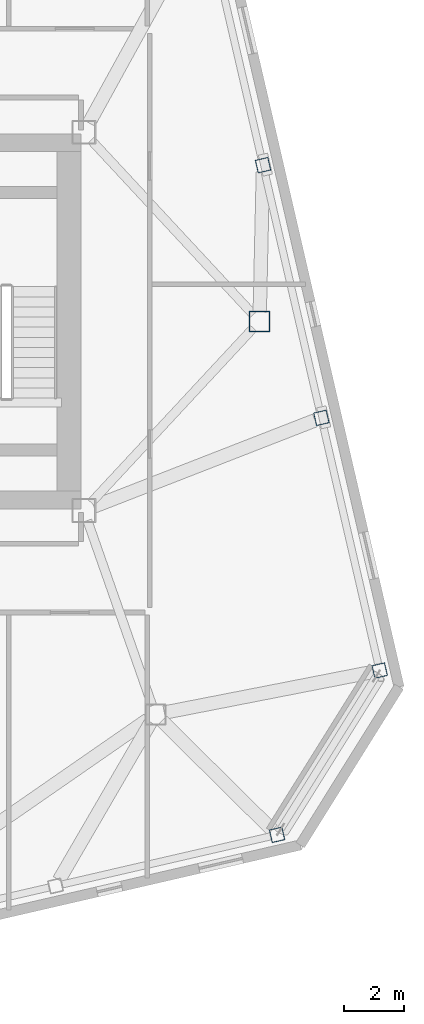
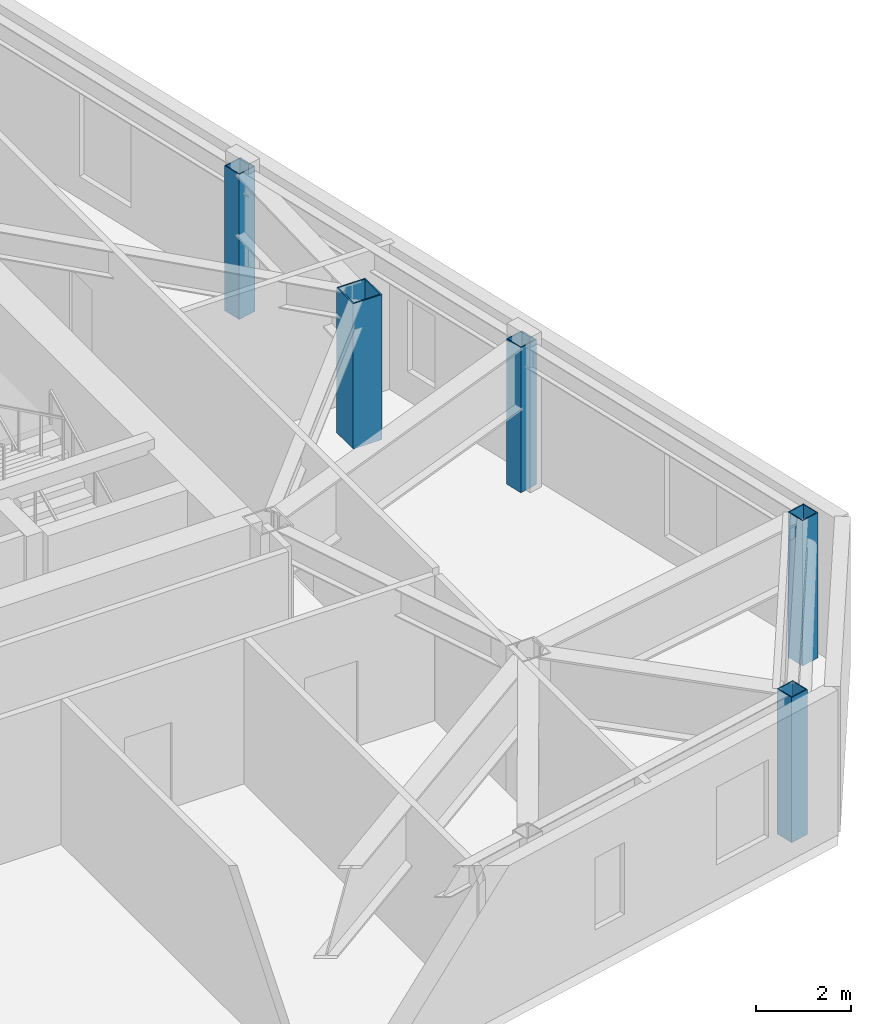
# One storey, part 4 of 23: 5 columns.
"""IFC4 building model written with IfcOpenShell, lengths in metres."""

from ifc_helpers import new_model, si_unit, direction, frame, origin, origin_2d, place, context, subcontext, project, spatial, hollow_rectangle, extrude, material, material_profile, profile_set, type_object, element, save


model = new_model("IFC4")

# Units and contexts
model_context = context("Model", 3, precision=1e-05, world=origin(), true_north=direction((0.0, 1.0)))
body_context = subcontext(model_context, "Body", "Model", "MODEL_VIEW")
ifc_project = project(units=[si_unit("LENGTHUNIT", "METRE"), si_unit("AREAUNIT", "SQUARE_METRE"), si_unit("VOLUMEUNIT", "CUBIC_METRE"), si_unit("PLANEANGLEUNIT", "RADIAN"), si_unit("MASSUNIT", "GRAM", prefix="KILO")], contexts=[model_context])

# Site, building, storey
site_placement = place(None, origin())
site = spatial("IfcSite", under=ifc_project, at=site_placement, CompositionType="ELEMENT")
building_placement = place(site_placement, origin())
building = spatial("IfcBuilding", under=site, at=building_placement, Name="Tavrogorsk Clinical Tower", CompositionType="ELEMENT")
storey_placement = place(building_placement, frame((0.0, 0.0, 277.0)))
storey = spatial("IfcBuildingStorey", under=building, at=storey_placement, Name="L64", CompositionType="ELEMENT", Elevation=277.0)

# Columns
ifc_material_1 = material(Name="Structural steel S440", Category="steel")
ifc_material_profile_1 = material_profile(ifc_material_1, hollow_rectangle(XDim=0.699951171875, YDim=0.699951171875, WallThickness=0.031982421875, at=origin_2d()), Name="BOX-700x700x32")
ifc_profile_set_1 = profile_set([ifc_material_profile_1], Name="Structural steel S440")
column_type_1 = type_object("IfcColumnType", Name="MegaCol_BOX700", PredefinedType="COLUMN", material=ifc_profile_set_1)
column_placement = place(storey_placement, frame((28.0, 0.0, 0.0), z_axis=(0.0, 0.0, 1.0), x_axis=(1.0, 0.0, 0.0)))
element("IfcColumn", 1, at=column_placement, inside=storey, type_object=column_type_1, Name="L64 Spine Pilotis Column MC-P6", PredefinedType="COLUMN", context=body_context, shape_type="SweptSolid", body=[
    extrude(hollow_rectangle(XDim=0.699951171875, YDim=0.699951171875, WallThickness=0.031982421875, at=origin_2d()), origin(), (0.0, 0.0, 1.0), 3.739990234375),
])
ifc_material_2 = material(Name="Structural steel S440", Category="steel")
ifc_material_profile_2 = material_profile(ifc_material_2, hollow_rectangle(XDim=0.449951171875, YDim=0.449951171875, WallThickness=0.02197265625, at=origin_2d()), Name="BOX-450x450x22")
ifc_profile_set_2 = profile_set([ifc_material_profile_2], Name="Structural steel S440")
column_type_2 = type_object("IfcColumnType", Name="PerimCol_B5_BOX450", PredefinedType="COLUMN", material=ifc_profile_set_2)
for number, where, z_axis, x_axis, name in (
    (2, (28.588623046875, -17.244873046875, 0.0), (0.0, 0.0, 1.0), (0.974370064785, 0.224951054344, 0.0), "L64 Perimeter Column S8"),
    (3, (32.035888671875, -11.72802734375, 0.0), (0.0, 0.0, 1.0), (0.974370064785, 0.224951054344, 0.0), "L64 Perimeter Column E1"),
    (4, (30.07666015625, -3.2412109375, 0.0), (0.0, 0.0, 1.0), (0.974370064785, 0.224951054344, 0.0), "L64 Perimeter Column E2"),
    (5, (28.1171875, 5.24560546875, 0.0), (0.0, 0.0, 1.0), (0.974370064785, 0.224951054344, 0.0), "L64 Perimeter Column E3"),
):
    element("IfcColumn", number, at=place(storey_placement, frame(where, z_axis=z_axis, x_axis=x_axis)), inside=storey, type_object=column_type_2, Name=name, PredefinedType="COLUMN", context=body_context, shape_type="SweptSolid", body=[
        extrude(hollow_rectangle(XDim=0.449951171875, YDim=0.449951171875, WallThickness=0.02197265625, at=origin_2d()), origin(), (0.0, 0.0, 1.0), 3.739990234375),
    ])

save(model, "model.ifc")
